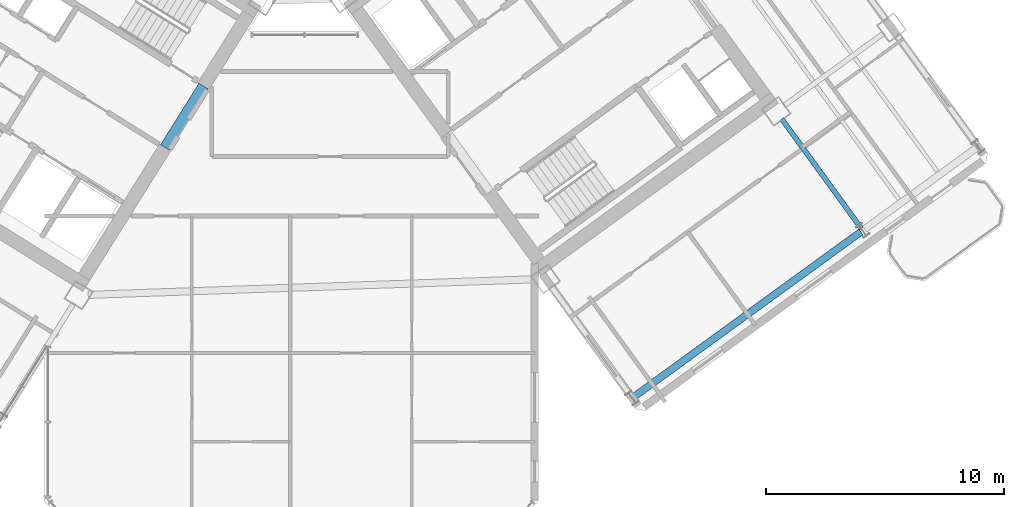
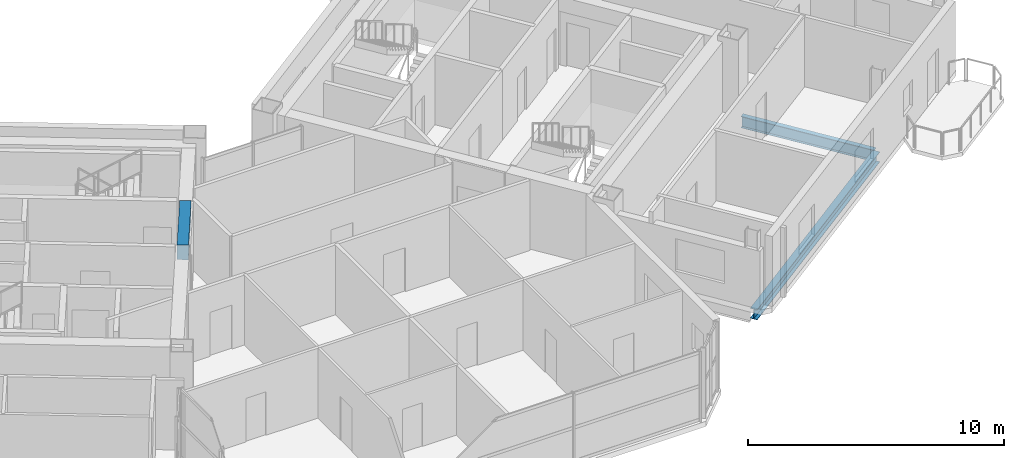
# One storey, part 11 of 25: 3 beams.
"""IFC4 building model written with IfcOpenShell, lengths in metres."""

from ifc_helpers import new_model, si_unit, direction, frame, origin, origin_2d, place, context, subcontext, project, spatial, rectangle, i_section, extrude, source, transform, mapped, material, material_profile, profile_set, type_object, element, save


model = new_model("IFC4")

# Units and contexts
model_context = context("Model", 3, precision=1e-05, world=origin(), true_north=direction((0.0, 1.0)))
body_context = subcontext(model_context, "Body", "Model", "MODEL_VIEW")
ifc_project = project(units=[si_unit("LENGTHUNIT", "METRE"), si_unit("AREAUNIT", "SQUARE_METRE"), si_unit("VOLUMEUNIT", "CUBIC_METRE"), si_unit("PLANEANGLEUNIT", "RADIAN"), si_unit("MASSUNIT", "GRAM", prefix="KILO")], contexts=[model_context])

# Site, building, storey
site_placement = place(None, origin())
site = spatial("IfcSite", under=ifc_project, at=site_placement, CompositionType="ELEMENT")
building_placement = place(site_placement, origin())
building = spatial("IfcBuilding", under=site, at=building_placement, Name="Tlacorven Tower", CompositionType="ELEMENT")
storey_placement = place(building_placement, frame((0.0, 0.0, 155.10009765625)))
storey = spatial("IfcBuildingStorey", under=building, at=storey_placement, Name="L39", CompositionType="ELEMENT", Elevation=155.10009765625)

# Beams
ifc_material_1 = material(Name="Concrete C60/75", Category="concrete")
ifc_material_profile_1 = material_profile(ifc_material_1, rectangle(XDim=0.449951171875, YDim=0.699951171875, at=origin_2d()), Name="RC 450X700")
ifc_profile_set_1 = profile_set([ifc_material_profile_1], Name="Concrete C60/75")
beam_type_1 = type_object("IfcBeamType", Name="BM-LNT-700", PredefinedType="LINTEL", material=ifc_profile_set_1)
shared_shape_1 = source(origin(), body_context, "Body", "SweptSolid", [
    extrude(rectangle(XDim=0.449951171875, YDim=0.699951171875, at=origin_2d()), origin(), (0.0, 0.0, 1.0), 3.050048828125),
])
beam_1_placement = place(storey_placement, frame((38.2998046875, 20.890625, 3.0), z_axis=(-0.529984549635, -0.848007297815, 0.0), x_axis=(0.848007297815, -0.529984549635, 0.0)))
element("IfcBeam", 1, at=beam_1_placement, inside=storey, type_object=beam_type_1, Name="L39 W core coupling lintel beam E1", PredefinedType="LINTEL", context=body_context, shape_type="MappedRepresentation", body=[
    mapped(shared_shape_1, transform((0.0, 0.0, 0.0), scale=1.0)),
])
ifc_material_2 = material(Name="Steel S355J2", Category="steel")
ifc_material_profile_2 = material_profile(ifc_material_2, i_section(OverallWidth=0.300048828125, OverallDepth=0.489990234375, WebThickness=0.011962890625, FlangeThickness=0.02294921875, at=origin_2d()), Name="HEA 500")
ifc_profile_set_2 = profile_set([ifc_material_profile_2], Name="Steel S355J2")
beam_type_2 = type_object("IfcBeamType", Name="BM-SPN-500", PredefinedType="SPANDREL", material=ifc_profile_set_2)
shared_shape_2 = source(origin(), body_context, "Body", "SweptSolid", [
    extrude(i_section(OverallWidth=0.300048828125, OverallDepth=0.489990234375, WebThickness=0.011962890625, FlangeThickness=0.02294921875, at=origin_2d()), origin(), (0.0, 0.0, 1.0), 11.800048828125),
])
beam_2_placement = place(storey_placement, frame((56.4306640625, 7.816162109375, -0.4951171875), z_axis=(0.80900977213, 0.587795192732, 0.0), x_axis=(-0.587795192732, 0.80900977213, 0.0)))
element("IfcBeam", 2, at=beam_2_placement, inside=storey, type_object=beam_type_2, Name="L39 beam BM-L39-EL1-1", PredefinedType="SPANDREL", context=body_context, shape_type="MappedRepresentation", body=[
    mapped(shared_shape_2, transform((0.0, 0.0, 0.0), scale=1.0)),
])
ifc_material_profile_3 = material_profile(ifc_material_2, i_section(OverallWidth=0.2099609375, OverallDepth=0.550048828125, WebThickness=0.010986328125, FlangeThickness=0.01708984375, at=origin_2d()), Name="IPE 550")
ifc_profile_set_3 = profile_set([ifc_material_profile_3], Name="Steel S355J2")
beam_type_3 = type_object("IfcBeamType", Name="BM-TWR-550", PredefinedType="BEAM", material=ifc_profile_set_3)
shared_shape_3 = source(origin(), body_context, "Body", "SweptSolid", [
    extrude(i_section(OverallWidth=0.2099609375, OverallDepth=0.550048828125, WebThickness=0.010986328125, FlangeThickness=0.01708984375, at=origin_2d()), origin(), (0.0, 0.0, 1.0), 5.699951171875),
])
beam_3_placement = place(storey_placement, frame((65.9990234375, 14.891845703125, -0.525146484375), z_axis=(-0.587787066966, 0.809015675935, 0.0), x_axis=(-0.809015675935, -0.587787066966, 0.0)))
element("IfcBeam", 3, at=beam_3_placement, inside=storey, type_object=beam_type_3, Name="L39 beam BM-L39-ET3-1", PredefinedType="BEAM", context=body_context, shape_type="MappedRepresentation", body=[
    mapped(shared_shape_3, transform((0.0, 0.0, 0.0), scale=1.0)),
])

save(model, "model.ifc")
